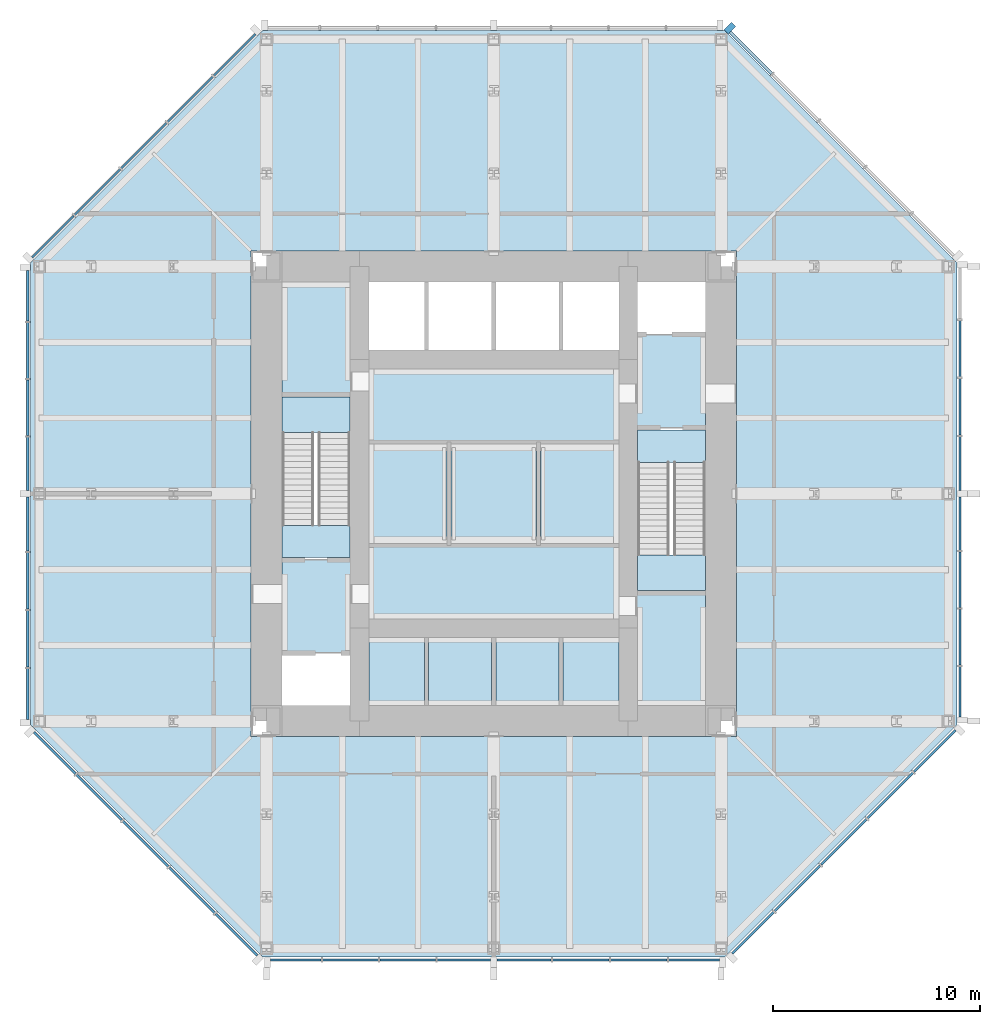
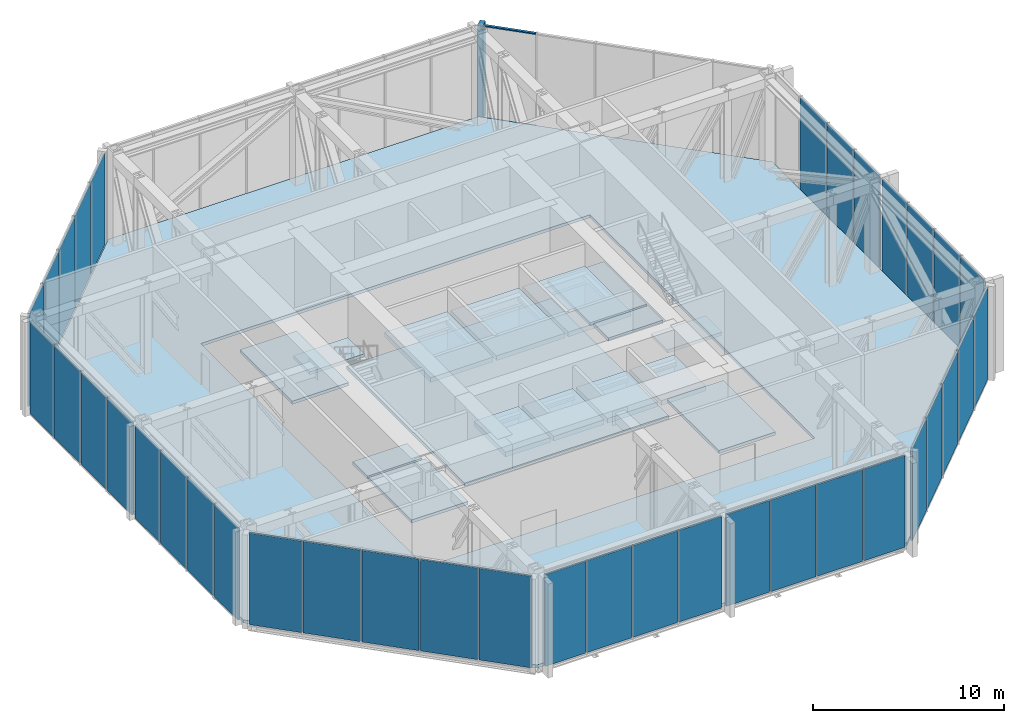
# One storey, part 8 of 11: 38 plates, 17 slabs, 3 members, 9 elements without a shape of their own.
"""IFC4 building model written with IfcOpenShell, lengths in metres."""

import ifcopenshell
import ifcopenshell.guid

model = None  # the IFC model being written
_history = None  # IfcOwnerHistory: only IFC2X3 demands one
_inside = {}  # id of a spatial element -> (the spatial element, [elements in it])
_under = {}  # id of a project, library or spatial element -> (it, [spatial elements below it])
_declared = {}  # id of a project -> (the project, [libraries it declares])
_typed = {}  # id of a type object -> (the type object, [elements of that type])
_made_of = {}  # id of a material, layer set ... -> (it, [elements and type objects made of it])


def new_model(schema):
    """Start an empty IFC model of exactly this schema.

    Asked for "IFC4X3", IfcOpenShell would pick the latest addendum, in which some entities
    have other attributes; the version numbers below select the first issue.
    IFC2X3 requires an IfcOwnerHistory on every rooted entity: one is made here for all.
    """
    global model, _history
    if schema == "IFC4X3":
        model = ifcopenshell.file(schema_version=(4, 3, 0, 0))
    else:
        model = ifcopenshell.file(schema=schema)
    _inside.clear()
    _under.clear()
    _declared.clear()
    _typed.clear()
    _made_of.clear()
    _history = None
    if model.schema == "IFC2X3":
        org = make("IfcOrganization", Name="unknown")
        user = make(
            "IfcPersonAndOrganization",
            ThePerson=make("IfcPerson", FamilyName="unknown"),
            TheOrganization=org,
        )
        app = make(
            "IfcApplication",
            ApplicationDeveloper=org,
            Version="unknown",
            ApplicationFullName="unknown",
            ApplicationIdentifier="unknown",
        )
        _history = make(
            "IfcOwnerHistory",
            OwningUser=user,
            OwningApplication=app,
            ChangeAction="ADDED",
            CreationDate=0,
        )
    return model


def make(cls, **values):
    """One entity of the class cls with the attributes given. An attribute that is None is left unset."""
    return model.create_entity(
        cls, **{name: value for name, value in values.items() if value is not None}
    )


def rooted(cls, **values):
    """An entity with a GlobalId (a new one), such as an element, a storey or a relation."""
    return make(cls, GlobalId=ifcopenshell.guid.new(), OwnerHistory=_history, **values)


def si_unit(unit_type, name, prefix=None):
    """IfcSIUnit, for example si_unit("LENGTHUNIT", "METRE", prefix="MILLI")."""
    return make("IfcSIUnit", UnitType=unit_type, Prefix=prefix, Name=name)


def assignment(units):
    """IfcUnitAssignment: the units of a project."""
    return None if units is None else make("IfcUnitAssignment", Units=units)


def point(xyz):
    """IfcCartesianPoint."""
    return None if xyz is None else make("IfcCartesianPoint", Coordinates=xyz)


def direction(xyz):
    """IfcDirection."""
    return None if xyz is None else make("IfcDirection", DirectionRatios=xyz)


def frame(location, z_axis=None, x_axis=None):
    """IfcAxis2Placement3D, a coordinate frame: its origin and axes. An axis left out is left unset."""
    return make(
        "IfcAxis2Placement3D",
        Location=point(location),
        Axis=direction(z_axis),
        RefDirection=direction(x_axis),
    )


def frame_2d(location, x_axis=None):
    """IfcAxis2Placement2D, a coordinate frame in the plane: its origin and x axis."""
    return make(
        "IfcAxis2Placement2D", Location=point(location), RefDirection=direction(x_axis)
    )


def origin():
    """The frame at (0, 0, 0) with its axes left unset."""
    return frame((0.0, 0.0, 0.0))


def origin_2d():
    """The frame at (0, 0) in the plane with its x axis left unset."""
    return frame_2d((0.0, 0.0))


def place(relative_to, where):
    """IfcLocalPlacement: puts the frame where relative to a parent placement (None: the world)."""
    return make(
        "IfcLocalPlacement", PlacementRelTo=relative_to, RelativePlacement=where
    )


def context(
    kind, dimensions, precision=None, world=None, true_north=None, identifier=None
):
    """IfcGeometricRepresentationContext, for example the 3D "Model" context."""
    return make(
        "IfcGeometricRepresentationContext",
        ContextIdentifier=identifier,
        ContextType=kind,
        CoordinateSpaceDimension=dimensions,
        Precision=precision,
        WorldCoordinateSystem=world,
        TrueNorth=true_north,
    )


def subcontext(parent, identifier, kind, view, scale=None):
    """IfcGeometricRepresentationSubContext, for example "Body" below "Model"."""
    return make(
        "IfcGeometricRepresentationSubContext",
        ContextIdentifier=identifier,
        ContextType=kind,
        ParentContext=parent,
        TargetScale=scale,
        TargetView=view,
    )


def project(units=None, contexts=None):
    """IfcProject with its units and contexts."""
    return rooted(
        "IfcProject",
        Name="project",
        RepresentationContexts=contexts,
        UnitsInContext=assignment(units),
    )


def spatial(cls, under=None, at=None, **own):
    """A site, building, storey or space (cls), placed at a placement, below another one or the project."""
    s = rooted(cls, ObjectPlacement=at, **own)
    if under is not None:
        _under.setdefault(under.id(), (under, []))[1].append(s)
    return s


def polyline(points):
    """IfcPolyline through the points."""
    return make("IfcPolyline", Points=[point(p) for p in points])


def profile(cls, at=None, kind="AREA", **sizes):
    """A parametric profile (cls). Its sizes go by their IFC names, for example OverallWidth=200.0."""
    return make(cls, ProfileType=kind, Position=at, **sizes)


def rectangle(**sizes):
    """IfcRectangleProfileDef."""
    return profile("IfcRectangleProfileDef", **sizes)


def outline(outer, holes=None, kind="AREA"):
    """IfcArbitraryClosedProfileDef: a profile drawn as a closed curve; with holes, ...WithVoids."""
    if holes is None:
        return make("IfcArbitraryClosedProfileDef", ProfileType=kind, OuterCurve=outer)
    return make(
        "IfcArbitraryProfileDefWithVoids",
        ProfileType=kind,
        OuterCurve=outer,
        InnerCurves=holes,
    )


def extrude(swept, where, along, depth):
    """IfcExtrudedAreaSolid: the profile swept, set in the frame where, extruded along a direction by depth."""
    return make(
        "IfcExtrudedAreaSolid",
        SweptArea=swept,
        Position=where,
        ExtrudedDirection=direction(along),
        Depth=depth,
    )


def shape(context_of_items, identifier, shape_type, items):
    """IfcShapeRepresentation: the items that make up one representation, for example the "Body"."""
    return make(
        "IfcShapeRepresentation",
        ContextOfItems=context_of_items,
        RepresentationIdentifier=identifier,
        RepresentationType=shape_type,
        Items=items,
    )


def material(Name=None, Category=None):
    """IfcMaterial."""
    return make("IfcMaterial", Name=Name, Category=Category)


def layer(
    of_material, thickness, ventilated=None, Name=None, Category=None, Priority=None
):
    """IfcMaterialLayer: one layer of a wall or slab, of a material (None: an air gap)."""
    return make(
        "IfcMaterialLayer",
        Material=of_material,
        LayerThickness=thickness,
        IsVentilated=ventilated,
        Name=Name,
        Category=Category,
        Priority=Priority,
    )


def layer_set(layers, Name=None):
    """IfcMaterialLayerSet."""
    return make("IfcMaterialLayerSet", MaterialLayers=layers, LayerSetName=Name)


def material_profile(
    of_material, cross_section, Name=None, Category=None, Priority=None
):
    """IfcMaterialProfile: a cross section and its material."""
    return make(
        "IfcMaterialProfile",
        Name=Name,
        Material=of_material,
        Profile=cross_section,
        Priority=Priority,
        Category=Category,
    )


def profile_set(profiles, Name=None, composite=None):
    """IfcMaterialProfileSet."""
    return make(
        "IfcMaterialProfileSet",
        Name=Name,
        MaterialProfiles=profiles,
        CompositeProfile=composite,
    )


def made_of(thing, what):
    """Note that an element or type object is made of a material, layer set ...; save() writes the relation."""
    if what is not None:
        _made_of.setdefault(what.id(), (what, []))[1].append(thing)
    return thing


def type_object(cls, material=None, **own):
    """A type object (cls), such as IfcWallType, which elements share."""
    return made_of(rooted(cls, **own), material)


def element(
    cls,
    number,
    at=None,
    inside=None,
    cuts=None,
    type_object=None,
    material=None,
    context=None,
    identifier="Body",
    shape_type=None,
    held_by="IfcProductDefinitionShape",
    body=None,
    shapes=None,
    **own,
):
    """One element of the class cls, such as IfcWall. Its Tag is "e" and its number.

    at: its placement. inside: the storey or other place that contains it. cuts: it is an
    opening in that element (IfcRelVoidsElement). A single representation is given by context,
    identifier, shape_type and body (its items); several are given by shapes. held_by: the class
    of the entity that holds the representations. save() writes the other relations.
    """
    e = rooted(cls, Tag="e%d" % number, ObjectPlacement=at, **own)
    if body is not None:
        shapes = [shape(context, identifier, shape_type, body)]
    if shapes is not None:
        e.Representation = make(held_by, Representations=shapes)
    if inside is not None:
        _inside.setdefault(inside.id(), (inside, []))[1].append(e)
    if cuts is not None:
        rooted(
            "IfcRelVoidsElement", RelatingBuildingElement=cuts, RelatedOpeningElement=e
        )
    if type_object is not None:
        _typed.setdefault(type_object.id(), (type_object, []))[1].append(e)
    return made_of(e, material)


def aggregate(whole, parts):
    """IfcRelAggregates: a whole, such as a stair, and the parts it consists of."""
    return rooted("IfcRelAggregates", RelatingObject=whole, RelatedObjects=parts)


def save(model, path):
    """Write the relations noted so far, then the file.

    IfcRelAggregates (storeys below a building ...), IfcRelContainedInSpatialStructure (elements
    in a storey), IfcRelDefinesByType, IfcRelAssociatesMaterial and IfcRelDeclares: one each for
    every whole, place, type object, material and project.
    """
    for whole, parts in _under.values():
        aggregate(whole, parts)
    for where, things in _inside.values():
        rooted(
            "IfcRelContainedInSpatialStructure",
            RelatedElements=things,
            RelatingStructure=where,
        )
    for kind, things in _typed.values():
        rooted("IfcRelDefinesByType", RelatedObjects=things, RelatingType=kind)
    for what, things in _made_of.values():
        rooted("IfcRelAssociatesMaterial", RelatedObjects=things, RelatingMaterial=what)
    for by, libraries in _declared.values():
        rooted("IfcRelDeclares", RelatingContext=by, RelatedDefinitions=libraries)
    model.write(path)


model = new_model("IFC4")

# Units and contexts
model_context = context("Model", 3, precision=1e-05, world=origin(), true_north=direction((0.0, 1.0)))
body_context = subcontext(model_context, "Body", "Model", "MODEL_VIEW")
ifc_project = project(units=[si_unit("LENGTHUNIT", "METRE"), si_unit("AREAUNIT", "SQUARE_METRE"), si_unit("VOLUMEUNIT", "CUBIC_METRE"), si_unit("PLANEANGLEUNIT", "RADIAN"), si_unit("MASSUNIT", "GRAM", prefix="KILO")], contexts=[model_context])

# Site, building, storey
site_placement = place(None, origin())
site = spatial("IfcSite", under=ifc_project, at=site_placement, CompositionType="ELEMENT")
building_placement = place(site_placement, origin())
building = spatial("IfcBuilding", under=site, at=building_placement, Name="Trevanion Tower", CompositionType="ELEMENT")
storey_placement = place(building_placement, frame((0.0, 0.0, 178.699951171875)))
storey = spatial("IfcBuildingStorey", under=building, at=storey_placement, Name="L42", CompositionType="ELEMENT", Elevation=178.699951171875)

# Curtain wall, members
ifc_material_1 = material(Name="Aluminium louvres", Category="aluminium")
curtain_wall_type = type_object("IfcCurtainWallType", Name="CWL curtain wall", PredefinedType="USERDEFINED", material=ifc_material_1)
curtain_wall_1_placement = place(storey_placement, origin())
curtain_wall_1 = element("IfcCurtainWall", 1, at=curtain_wall_1_placement, inside=storey, type_object=curtain_wall_type, Name="CWL L42 1", ObjectType="LOUVRE SCREEN", PredefinedType="USERDEFINED")
ifc_material_2 = material(Name="Aluminium extrusion, anodised bronze", Category="aluminium")
ifc_material_profile_1 = material_profile(ifc_material_2, rectangle(XDim=0.300048828125, YDim=0.5, at=origin_2d()), Name="CWL pier mullion")
ifc_profile_set_1 = profile_set([ifc_material_profile_1], Name="Aluminium extrusion, anodised bronze")
member_type_1 = type_object("IfcMemberType", Name="CWL pier mullion", PredefinedType="MULLION", material=ifc_profile_set_1)
member_1_placement = place(storey_placement, frame((11.42236328125, 22.5322265625, -0.18994140625), z_axis=(0.0, 0.0, 1.0), x_axis=(-0.707106781187, 0.707106781187, 0.0)))
member_1 = element("IfcMember", 2, at=member_1_placement, type_object=member_type_1, Name="CWL pier mullion 6", PredefinedType="MULLION", context=body_context, shape_type="SweptSolid", body=[
    extrude(rectangle(XDim=0.300048828125, YDim=0.5, at=origin_2d()), origin(), (0.0, 0.0, 1.0), 6.0),
])
ifc_material_3 = material(Name="Aluminium extrusion, anodised bronze", Category="aluminium")
ifc_material_profile_2 = material_profile(ifc_material_3, rectangle(XDim=0.14990234375, YDim=0.074951171875, at=origin_2d()), Name="CWL transom")
ifc_profile_set_2 = profile_set([ifc_material_profile_2], Name="Aluminium extrusion, anodised bronze")
member_type_2 = type_object("IfcMemberType", Name="CWL transom", PredefinedType="USERDEFINED", material=ifc_profile_set_2)
member_2_placement = place(storey_placement, frame((13.447509765625, 20.33056640625, -0.15234375), z_axis=(-0.707149778163, 0.707063781595, 0.0), x_axis=(-0.707063781595, -0.707149778163, 0.0)))
member_2 = element("IfcMember", 3, at=member_2_placement, type_object=member_type_2, Name="CWL transom 5.1", ObjectType="TRANSOM", PredefinedType="USERDEFINED", context=body_context, shape_type="SweptSolid", body=[
    extrude(rectangle(XDim=0.14990234375, YDim=0.074951171875, at=origin_2d()), origin(), (0.0, 0.0, 1.0), 2.8388671875),
])
member_3_placement = place(storey_placement, frame((13.447509765625, 20.33056640625, 5.7724609375), z_axis=(-0.707149778163, 0.707063781595, 0.0), x_axis=(-0.707063781595, -0.707149778163, 0.0)))
member_3 = element("IfcMember", 4, at=member_3_placement, type_object=member_type_2, Name="CWL transom 5.2", ObjectType="TRANSOM", PredefinedType="USERDEFINED", context=body_context, shape_type="SweptSolid", body=[
    extrude(rectangle(XDim=0.14990234375, YDim=0.074951171875, at=origin_2d()), origin(), (0.0, 0.0, 1.0), 2.8388671875),
])
aggregate(curtain_wall_1, [member_1, member_2, member_3])

# Curtain wall, plates
curtain_wall_2_placement = place(storey_placement, origin())
curtain_wall_2 = element("IfcCurtainWall", 5, at=curtain_wall_2_placement, inside=storey, type_object=curtain_wall_type, Name="CWL L42 0", ObjectType="LOUVRE SCREEN", PredefinedType="USERDEFINED")
ifc_material_4 = material(Name="Aluminium louvres", Category="aluminium")
ifc_layer_1 = layer(ifc_material_4, 0.10009765625)
ifc_layer_set_1 = layer_set([ifc_layer_1], Name="CWL louvre panel")
plate_type = type_object("IfcPlateType", Name="CWL louvre panel", PredefinedType="CURTAIN_PANEL", material=ifc_layer_set_1)
plate_1_placement = place(storey_placement, frame((22.550048828125, -9.579345703125, -0.114990234375), z_axis=(0.0, 0.0, 1.0), x_axis=(0.0, 1.0, 0.0)))
plate_1 = element("IfcPlate", 6, at=plate_1_placement, type_object=plate_type, Name="CWL panel 1.1", PredefinedType="CURTAIN_PANEL", context=body_context, shape_type="SweptSolid", body=[
    extrude(rectangle(XDim=2.43701171875, YDim=0.10009765625, at=origin_2d()), origin(), (0.0, 0.0, 1.0), 5.85009765625),
])
plate_2_placement = place(storey_placement, frame((22.550048828125, -6.93603515625, -0.114990234375), z_axis=(0.0, 0.0, 1.0), x_axis=(0.0, 1.0, 0.0)))
plate_2 = element("IfcPlate", 7, at=plate_2_placement, type_object=plate_type, Name="CWL panel 2.1", PredefinedType="CURTAIN_PANEL", context=body_context, shape_type="SweptSolid", body=[
    extrude(rectangle(XDim=2.699462890625, YDim=0.10009765625, at=origin_2d()), origin(), (0.0, 0.0, 1.0), 5.85009765625),
])
plate_3_placement = place(storey_placement, frame((22.550048828125, -4.16162109375, -0.114990234375), z_axis=(0.0, 0.0, 1.0), x_axis=(0.0, 1.0, 0.0)))
plate_3 = element("IfcPlate", 8, at=plate_3_placement, type_object=plate_type, Name="CWL panel 3.1", PredefinedType="CURTAIN_PANEL", context=body_context, shape_type="SweptSolid", body=[
    extrude(rectangle(XDim=2.699462890625, YDim=0.10009765625, at=origin_2d()), origin(), (0.0, 0.0, 1.0), 5.85009765625),
])
plate_4_placement = place(storey_placement, frame((22.550048828125, -1.443603515625, -0.114990234375), z_axis=(0.0, 0.0, 1.0), x_axis=(0.0, 1.0, 0.0)))
plate_4 = element("IfcPlate", 9, at=plate_4_placement, type_object=plate_type, Name="CWL panel 4.1", PredefinedType="CURTAIN_PANEL", context=body_context, shape_type="SweptSolid", body=[
    extrude(rectangle(XDim=2.5869140625, YDim=0.10009765625, at=origin_2d()), origin(), (0.0, 0.0, 1.0), 5.85009765625),
])
plate_5_placement = place(storey_placement, frame((22.550048828125, 1.459716796875, -0.114990234375), z_axis=(0.0, 0.0, 1.0), x_axis=(0.0, 1.0, 0.0)))
plate_5 = element("IfcPlate", 10, at=plate_5_placement, type_object=plate_type, Name="CWL panel 5.1", PredefinedType="CURTAIN_PANEL", context=body_context, shape_type="SweptSolid", body=[
    extrude(rectangle(XDim=2.619384765625, YDim=0.10009765625, at=origin_2d()), origin(), (0.0, 0.0, 1.0), 5.85009765625),
])
plate_6_placement = place(storey_placement, frame((22.550048828125, 4.21044921875, -0.114990234375), z_axis=(0.0, 0.0, 1.0), x_axis=(0.0, 1.0, 0.0)))
plate_6 = element("IfcPlate", 11, at=plate_6_placement, type_object=plate_type, Name="CWL panel 6.1", PredefinedType="CURTAIN_PANEL", context=body_context, shape_type="SweptSolid", body=[
    extrude(rectangle(XDim=2.73193359375, YDim=0.10009765625, at=origin_2d()), origin(), (0.0, 0.0, 1.0), 5.85009765625),
])
plate_7_placement = place(storey_placement, frame((22.550048828125, 7.017333984375, -0.114990234375), z_axis=(0.0, 0.0, 1.0), x_axis=(0.0, 1.0, 0.0)))
plate_7 = element("IfcPlate", 12, at=plate_7_placement, type_object=plate_type, Name="CWL panel 7.1", PredefinedType="CURTAIN_PANEL", context=body_context, shape_type="SweptSolid", body=[
    extrude(rectangle(XDim=2.73193359375, YDim=0.10009765625, at=origin_2d()), origin(), (0.0, 0.0, 1.0), 5.85009765625),
])
aggregate(curtain_wall_2, [plate_1, plate_2, plate_3, plate_4, plate_5, plate_6, plate_7])

curtain_wall_3_placement = place(storey_placement, origin())
curtain_wall_3 = element("IfcCurtainWall", 13, at=curtain_wall_3_placement, inside=storey, type_object=curtain_wall_type, Name="CWL L42 3", ObjectType="LOUVRE SCREEN", PredefinedType="USERDEFINED")
plate_8_placement = place(storey_placement, frame((-12.53564453125, 21.2421875, -0.114990234375), z_axis=(0.0, 0.0, 1.0), x_axis=(-0.707106781187, -0.707106781187, 0.0)))
plate_8 = element("IfcPlate", 14, at=plate_8_placement, type_object=plate_type, Name="CWL panel 1.1", PredefinedType="CURTAIN_PANEL", context=body_context, shape_type="SweptSolid", body=[
    extrude(rectangle(XDim=2.8388671875, YDim=0.10009765625, at=origin_2d()), origin(), (0.0, 0.0, 1.0), 5.85009765625),
])
plate_9_placement = place(storey_placement, frame((-14.688720703125, 19.089111328125, -0.114990234375), z_axis=(0.0, 0.0, 1.0), x_axis=(-0.707106781187, -0.707106781187, 0.0)))
plate_9 = element("IfcPlate", 15, at=plate_9_placement, type_object=plate_type, Name="CWL panel 2.1", PredefinedType="CURTAIN_PANEL", context=body_context, shape_type="SweptSolid", body=[
    extrude(rectangle(XDim=3.101318359375, YDim=0.10009765625, at=origin_2d()), origin(), (0.0, 0.0, 1.0), 5.85009765625),
])
plate_10_placement = place(storey_placement, frame((-16.934814453125, 16.843017578125, -0.114990234375), z_axis=(0.0, 0.0, 1.0), x_axis=(-0.707106781187, -0.707106781187, 0.0)))
plate_10 = element("IfcPlate", 16, at=plate_10_placement, type_object=plate_type, Name="CWL panel 3.1", PredefinedType="CURTAIN_PANEL", context=body_context, shape_type="SweptSolid", body=[
    extrude(rectangle(XDim=3.101318359375, YDim=0.10009765625, at=origin_2d()), origin(), (0.0, 0.0, 1.0), 5.85009765625),
])
plate_11_placement = place(storey_placement, frame((-19.180908203125, 14.596923828125, -0.114990234375), z_axis=(0.0, 0.0, 1.0), x_axis=(-0.707106781187, -0.707106781187, 0.0)))
plate_11 = element("IfcPlate", 17, at=plate_11_placement, type_object=plate_type, Name="CWL panel 4.1", PredefinedType="CURTAIN_PANEL", context=body_context, shape_type="SweptSolid", body=[
    extrude(rectangle(XDim=3.101318359375, YDim=0.10009765625, at=origin_2d()), origin(), (0.0, 0.0, 1.0), 5.85009765625),
])
plate_12_placement = place(storey_placement, frame((-21.334228515625, 12.443603515625, -0.114990234375), z_axis=(0.0, 0.0, 1.0), x_axis=(-0.707106781187, -0.707106781187, 0.0)))
plate_12 = element("IfcPlate", 18, at=plate_12_placement, type_object=plate_type, Name="CWL panel 5.1", PredefinedType="CURTAIN_PANEL", context=body_context, shape_type="SweptSolid", body=[
    extrude(rectangle(XDim=2.8388671875, YDim=0.10009765625, at=origin_2d()), origin(), (0.0, 0.0, 1.0), 5.85009765625),
])
aggregate(curtain_wall_3, [plate_8, plate_9, plate_10, plate_11, plate_12])

curtain_wall_4_placement = place(storey_placement, origin())
curtain_wall_4 = element("IfcCurtainWall", 19, at=curtain_wall_4_placement, inside=storey, type_object=curtain_wall_type, Name="CWL L42 4", ObjectType="LOUVRE SCREEN", PredefinedType="USERDEFINED")
plate_13_placement = place(storey_placement, frame((-22.550048828125, 9.579345703125, -0.114990234375), z_axis=(0.0, 0.0, 1.0), x_axis=(0.0, -1.0, 0.0)))
plate_13 = element("IfcPlate", 20, at=plate_13_placement, type_object=plate_type, Name="CWL panel 1.1", PredefinedType="CURTAIN_PANEL", context=body_context, shape_type="SweptSolid", body=[
    extrude(rectangle(XDim=2.43701171875, YDim=0.10009765625, at=origin_2d()), origin(), (0.0, 0.0, 1.0), 5.85009765625),
])
plate_14_placement = place(storey_placement, frame((-22.550048828125, 6.93603515625, -0.114990234375), z_axis=(0.0, 0.0, 1.0), x_axis=(0.0, -1.0, 0.0)))
plate_14 = element("IfcPlate", 21, at=plate_14_placement, type_object=plate_type, Name="CWL panel 2.1", PredefinedType="CURTAIN_PANEL", context=body_context, shape_type="SweptSolid", body=[
    extrude(rectangle(XDim=2.699462890625, YDim=0.10009765625, at=origin_2d()), origin(), (0.0, 0.0, 1.0), 5.85009765625),
])
plate_15_placement = place(storey_placement, frame((-22.550048828125, 4.16162109375, -0.114990234375), z_axis=(0.0, 0.0, 1.0), x_axis=(0.0, -1.0, 0.0)))
plate_15 = element("IfcPlate", 22, at=plate_15_placement, type_object=plate_type, Name="CWL panel 3.1", PredefinedType="CURTAIN_PANEL", context=body_context, shape_type="SweptSolid", body=[
    extrude(rectangle(XDim=2.699462890625, YDim=0.10009765625, at=origin_2d()), origin(), (0.0, 0.0, 1.0), 5.85009765625),
])
plate_16_placement = place(storey_placement, frame((-22.550048828125, 1.443603515625, -0.114990234375), z_axis=(0.0, 0.0, 1.0), x_axis=(0.0, -1.0, 0.0)))
plate_16 = element("IfcPlate", 23, at=plate_16_placement, type_object=plate_type, Name="CWL panel 4.1", PredefinedType="CURTAIN_PANEL", context=body_context, shape_type="SweptSolid", body=[
    extrude(rectangle(XDim=2.5869140625, YDim=0.10009765625, at=origin_2d()), origin(), (0.0, 0.0, 1.0), 5.85009765625),
])
plate_17_placement = place(storey_placement, frame((-22.550048828125, -1.459716796875, -0.114990234375), z_axis=(0.0, 0.0, 1.0), x_axis=(0.0, -1.0, 0.0)))
plate_17 = element("IfcPlate", 24, at=plate_17_placement, type_object=plate_type, Name="CWL panel 5.1", PredefinedType="CURTAIN_PANEL", context=body_context, shape_type="SweptSolid", body=[
    extrude(rectangle(XDim=2.619384765625, YDim=0.10009765625, at=origin_2d()), origin(), (0.0, 0.0, 1.0), 5.85009765625),
])
plate_18_placement = place(storey_placement, frame((-22.550048828125, -4.21044921875, -0.114990234375), z_axis=(0.0, 0.0, 1.0), x_axis=(0.0, -1.0, 0.0)))
plate_18 = element("IfcPlate", 25, at=plate_18_placement, type_object=plate_type, Name="CWL panel 6.1", PredefinedType="CURTAIN_PANEL", context=body_context, shape_type="SweptSolid", body=[
    extrude(rectangle(XDim=2.73193359375, YDim=0.10009765625, at=origin_2d()), origin(), (0.0, 0.0, 1.0), 5.85009765625),
])
plate_19_placement = place(storey_placement, frame((-22.550048828125, -7.017333984375, -0.114990234375), z_axis=(0.0, 0.0, 1.0), x_axis=(0.0, -1.0, 0.0)))
plate_19 = element("IfcPlate", 26, at=plate_19_placement, type_object=plate_type, Name="CWL panel 7.1", PredefinedType="CURTAIN_PANEL", context=body_context, shape_type="SweptSolid", body=[
    extrude(rectangle(XDim=2.73193359375, YDim=0.10009765625, at=origin_2d()), origin(), (0.0, 0.0, 1.0), 5.85009765625),
])
plate_20_placement = place(storey_placement, frame((-22.550048828125, -9.693115234375, -0.114990234375), z_axis=(0.0, 0.0, 1.0), x_axis=(0.0, -1.0, 0.0)))
plate_20 = element("IfcPlate", 27, at=plate_20_placement, type_object=plate_type, Name="CWL panel 8.1", PredefinedType="CURTAIN_PANEL", context=body_context, shape_type="SweptSolid", body=[
    extrude(rectangle(XDim=2.469482421875, YDim=0.10009765625, at=origin_2d()), origin(), (0.0, 0.0, 1.0), 5.85009765625),
])
aggregate(curtain_wall_4, [plate_13, plate_14, plate_15, plate_16, plate_17, plate_18, plate_19, plate_20])

curtain_wall_5_placement = place(storey_placement, origin())
curtain_wall_5 = element("IfcCurtainWall", 28, at=curtain_wall_5_placement, inside=storey, type_object=curtain_wall_type, Name="CWL L42 5", ObjectType="LOUVRE SCREEN", PredefinedType="USERDEFINED")
plate_21_placement = place(storey_placement, frame((-21.2421875, -12.53564453125, -0.114990234375), z_axis=(0.0, 0.0, 1.0), x_axis=(0.707106781187, -0.707106781187, 0.0)))
plate_21 = element("IfcPlate", 29, at=plate_21_placement, type_object=plate_type, Name="CWL panel 1.1", PredefinedType="CURTAIN_PANEL", context=body_context, shape_type="SweptSolid", body=[
    extrude(rectangle(XDim=2.8388671875, YDim=0.10009765625, at=origin_2d()), origin(), (0.0, 0.0, 1.0), 5.85009765625),
])
plate_22_placement = place(storey_placement, frame((-19.089111328125, -14.688720703125, -0.114990234375), z_axis=(0.0, 0.0, 1.0), x_axis=(0.707106781187, -0.707106781187, 0.0)))
plate_22 = element("IfcPlate", 30, at=plate_22_placement, type_object=plate_type, Name="CWL panel 2.1", PredefinedType="CURTAIN_PANEL", context=body_context, shape_type="SweptSolid", body=[
    extrude(rectangle(XDim=3.101318359375, YDim=0.10009765625, at=origin_2d()), origin(), (0.0, 0.0, 1.0), 5.85009765625),
])
plate_23_placement = place(storey_placement, frame((-16.843017578125, -16.934814453125, -0.114990234375), z_axis=(0.0, 0.0, 1.0), x_axis=(0.707106781187, -0.707106781187, 0.0)))
plate_23 = element("IfcPlate", 31, at=plate_23_placement, type_object=plate_type, Name="CWL panel 3.1", PredefinedType="CURTAIN_PANEL", context=body_context, shape_type="SweptSolid", body=[
    extrude(rectangle(XDim=3.101318359375, YDim=0.10009765625, at=origin_2d()), origin(), (0.0, 0.0, 1.0), 5.85009765625),
])
plate_24_placement = place(storey_placement, frame((-14.596923828125, -19.180908203125, -0.114990234375), z_axis=(0.0, 0.0, 1.0), x_axis=(0.707106781187, -0.707106781187, 0.0)))
plate_24 = element("IfcPlate", 32, at=plate_24_placement, type_object=plate_type, Name="CWL panel 4.1", PredefinedType="CURTAIN_PANEL", context=body_context, shape_type="SweptSolid", body=[
    extrude(rectangle(XDim=3.101318359375, YDim=0.10009765625, at=origin_2d()), origin(), (0.0, 0.0, 1.0), 5.85009765625),
])
plate_25_placement = place(storey_placement, frame((-12.443603515625, -21.334228515625, -0.114990234375), z_axis=(0.0, 0.0, 1.0), x_axis=(0.707106781187, -0.707106781187, 0.0)))
plate_25 = element("IfcPlate", 33, at=plate_25_placement, type_object=plate_type, Name="CWL panel 5.1", PredefinedType="CURTAIN_PANEL", context=body_context, shape_type="SweptSolid", body=[
    extrude(rectangle(XDim=2.8388671875, YDim=0.10009765625, at=origin_2d()), origin(), (0.0, 0.0, 1.0), 5.85009765625),
])
aggregate(curtain_wall_5, [plate_21, plate_22, plate_23, plate_24, plate_25])

curtain_wall_6_placement = place(storey_placement, origin())
curtain_wall_6 = element("IfcCurtainWall", 34, at=curtain_wall_6_placement, inside=storey, type_object=curtain_wall_type, Name="CWL L42 6", ObjectType="LOUVRE SCREEN", PredefinedType="USERDEFINED")
plate_26_placement = place(storey_placement, frame((-9.579345703125, -22.550048828125, -0.114990234375), z_axis=(0.0, 0.0, 1.0), x_axis=(1.0, 0.0, 0.0)))
plate_26 = element("IfcPlate", 35, at=plate_26_placement, type_object=plate_type, Name="CWL panel 1.1", PredefinedType="CURTAIN_PANEL", context=body_context, shape_type="SweptSolid", body=[
    extrude(rectangle(XDim=2.43701171875, YDim=0.10009765625, at=origin_2d()), origin(), (0.0, 0.0, 1.0), 5.85009765625),
])
plate_27_placement = place(storey_placement, frame((-6.93603515625, -22.550048828125, -0.114990234375), z_axis=(0.0, 0.0, 1.0), x_axis=(1.0, 0.0, 0.0)))
plate_27 = element("IfcPlate", 36, at=plate_27_placement, type_object=plate_type, Name="CWL panel 2.1", PredefinedType="CURTAIN_PANEL", context=body_context, shape_type="SweptSolid", body=[
    extrude(rectangle(XDim=2.699462890625, YDim=0.10009765625, at=origin_2d()), origin(), (0.0, 0.0, 1.0), 5.85009765625),
])
plate_28_placement = place(storey_placement, frame((-4.16162109375, -22.550048828125, -0.114990234375), z_axis=(0.0, 0.0, 1.0), x_axis=(1.0, 0.0, 0.0)))
plate_28 = element("IfcPlate", 37, at=plate_28_placement, type_object=plate_type, Name="CWL panel 3.1", PredefinedType="CURTAIN_PANEL", context=body_context, shape_type="SweptSolid", body=[
    extrude(rectangle(XDim=2.699462890625, YDim=0.10009765625, at=origin_2d()), origin(), (0.0, 0.0, 1.0), 5.85009765625),
])
plate_29_placement = place(storey_placement, frame((-1.443603515625, -22.550048828125, -0.114990234375), z_axis=(0.0, 0.0, 1.0), x_axis=(1.0, 0.0, 0.0)))
plate_29 = element("IfcPlate", 38, at=plate_29_placement, type_object=plate_type, Name="CWL panel 4.1", PredefinedType="CURTAIN_PANEL", context=body_context, shape_type="SweptSolid", body=[
    extrude(rectangle(XDim=2.5869140625, YDim=0.10009765625, at=origin_2d()), origin(), (0.0, 0.0, 1.0), 5.85009765625),
])
plate_30_placement = place(storey_placement, frame((1.459716796875, -22.550048828125, -0.114990234375), z_axis=(0.0, 0.0, 1.0), x_axis=(1.0, 0.0, 0.0)))
plate_30 = element("IfcPlate", 39, at=plate_30_placement, type_object=plate_type, Name="CWL panel 5.1", PredefinedType="CURTAIN_PANEL", context=body_context, shape_type="SweptSolid", body=[
    extrude(rectangle(XDim=2.619384765625, YDim=0.10009765625, at=origin_2d()), origin(), (0.0, 0.0, 1.0), 5.85009765625),
])
plate_31_placement = place(storey_placement, frame((4.21044921875, -22.550048828125, -0.114990234375), z_axis=(0.0, 0.0, 1.0), x_axis=(1.0, 0.0, 0.0)))
plate_31 = element("IfcPlate", 40, at=plate_31_placement, type_object=plate_type, Name="CWL panel 6.1", PredefinedType="CURTAIN_PANEL", context=body_context, shape_type="SweptSolid", body=[
    extrude(rectangle(XDim=2.73193359375, YDim=0.10009765625, at=origin_2d()), origin(), (0.0, 0.0, 1.0), 5.85009765625),
])
plate_32_placement = place(storey_placement, frame((7.017333984375, -22.550048828125, -0.114990234375), z_axis=(0.0, 0.0, 1.0), x_axis=(1.0, 0.0, 0.0)))
plate_32 = element("IfcPlate", 41, at=plate_32_placement, type_object=plate_type, Name="CWL panel 7.1", PredefinedType="CURTAIN_PANEL", context=body_context, shape_type="SweptSolid", body=[
    extrude(rectangle(XDim=2.73193359375, YDim=0.10009765625, at=origin_2d()), origin(), (0.0, 0.0, 1.0), 5.85009765625),
])
plate_33_placement = place(storey_placement, frame((9.693115234375, -22.550048828125, -0.114990234375), z_axis=(0.0, 0.0, 1.0), x_axis=(1.0, 0.0, 0.0)))
plate_33 = element("IfcPlate", 42, at=plate_33_placement, type_object=plate_type, Name="CWL panel 8.1", PredefinedType="CURTAIN_PANEL", context=body_context, shape_type="SweptSolid", body=[
    extrude(rectangle(XDim=2.469482421875, YDim=0.10009765625, at=origin_2d()), origin(), (0.0, 0.0, 1.0), 5.85009765625),
])
aggregate(curtain_wall_6, [plate_26, plate_27, plate_28, plate_29, plate_30, plate_31, plate_32, plate_33])

curtain_wall_7_placement = place(storey_placement, origin())
curtain_wall_7 = element("IfcCurtainWall", 43, at=curtain_wall_7_placement, inside=storey, type_object=curtain_wall_type, Name="CWL L42 7", ObjectType="LOUVRE SCREEN", PredefinedType="USERDEFINED")
plate_34_placement = place(storey_placement, frame((12.53564453125, -21.2421875, -0.114990234375), z_axis=(0.0, 0.0, 1.0), x_axis=(0.707106781187, 0.707106781187, 0.0)))
plate_34 = element("IfcPlate", 44, at=plate_34_placement, type_object=plate_type, Name="CWL panel 1.1", PredefinedType="CURTAIN_PANEL", context=body_context, shape_type="SweptSolid", body=[
    extrude(rectangle(XDim=2.8388671875, YDim=0.10009765625, at=origin_2d()), origin(), (0.0, 0.0, 1.0), 5.85009765625),
])
plate_35_placement = place(storey_placement, frame((14.688720703125, -19.089111328125, -0.114990234375), z_axis=(0.0, 0.0, 1.0), x_axis=(0.707106781187, 0.707106781187, 0.0)))
plate_35 = element("IfcPlate", 45, at=plate_35_placement, type_object=plate_type, Name="CWL panel 2.1", PredefinedType="CURTAIN_PANEL", context=body_context, shape_type="SweptSolid", body=[
    extrude(rectangle(XDim=3.101318359375, YDim=0.10009765625, at=origin_2d()), origin(), (0.0, 0.0, 1.0), 5.85009765625),
])
plate_36_placement = place(storey_placement, frame((16.934814453125, -16.843017578125, -0.114990234375), z_axis=(0.0, 0.0, 1.0), x_axis=(0.707106781187, 0.707106781187, 0.0)))
plate_36 = element("IfcPlate", 46, at=plate_36_placement, type_object=plate_type, Name="CWL panel 3.1", PredefinedType="CURTAIN_PANEL", context=body_context, shape_type="SweptSolid", body=[
    extrude(rectangle(XDim=3.101318359375, YDim=0.10009765625, at=origin_2d()), origin(), (0.0, 0.0, 1.0), 5.85009765625),
])
plate_37_placement = place(storey_placement, frame((19.180908203125, -14.596923828125, -0.114990234375), z_axis=(0.0, 0.0, 1.0), x_axis=(0.707106781187, 0.707106781187, 0.0)))
plate_37 = element("IfcPlate", 47, at=plate_37_placement, type_object=plate_type, Name="CWL panel 4.1", PredefinedType="CURTAIN_PANEL", context=body_context, shape_type="SweptSolid", body=[
    extrude(rectangle(XDim=3.101318359375, YDim=0.10009765625, at=origin_2d()), origin(), (0.0, 0.0, 1.0), 5.85009765625),
])
plate_38_placement = place(storey_placement, frame((21.334228515625, -12.443603515625, -0.114990234375), z_axis=(0.0, 0.0, 1.0), x_axis=(0.707106781187, 0.707106781187, 0.0)))
plate_38 = element("IfcPlate", 48, at=plate_38_placement, type_object=plate_type, Name="CWL panel 5.1", PredefinedType="CURTAIN_PANEL", context=body_context, shape_type="SweptSolid", body=[
    extrude(rectangle(XDim=2.8388671875, YDim=0.10009765625, at=origin_2d()), origin(), (0.0, 0.0, 1.0), 5.85009765625),
])
aggregate(curtain_wall_7, [plate_34, plate_35, plate_36, plate_37, plate_38])

# Slabs
ifc_material_5 = material(Name="Concrete 5,000 psi on composite metal deck", Category="concrete")
ifc_layer_2 = layer(ifc_material_5, 0.18994140625)
ifc_layer_set_2 = layer_set([ifc_layer_2], Name="SL1 composite floor 190")
slab_type_1 = type_object("IfcSlabType", Name="SL1 composite floor 190", PredefinedType="FLOOR", material=ifc_layer_set_2)
slab_1_placement = place(storey_placement, frame((0.0, 0.0, -0.18994140625)))
element("IfcSlab", 49, at=slab_1_placement, inside=storey, type_object=slab_type_1, Name="SL1 L42 floor", PredefinedType="FLOOR", context=body_context, shape_type="SweptSolid", body=[
    extrude(outline(polyline([(22.419921875, -11.174072265625), (22.419921875, 11.174072265625), (11.174072265625, 22.419921875), (-11.174072265625, 22.419921875), (-22.419921875, 11.174072265625), (-22.419921875, -11.174072265625), (-11.174072265625, -22.419921875), (11.174072265625, -22.419921875), (22.419921875, -11.174072265625)]), holes=[polyline([(11.75, -11.75), (11.75, 11.75), (-11.75, 11.75), (-11.75, -11.75), (11.75, -11.75)])]), origin(), (0.0, 0.0, 1.0), 0.18994140625),
])
ifc_material_6 = material(Name="Concrete 5,000 psi", Category="concrete")
ifc_layer_3 = layer(ifc_material_6, 0.199951171875)
ifc_layer_set_3 = layer_set([ifc_layer_3], Name="SL2 core floor 200")
slab_type_2 = type_object("IfcSlabType", Name="SL2 core floor 200", PredefinedType="FLOOR", material=ifc_layer_set_3)
slab_2_placement = place(storey_placement, frame((0.0, 0.0, -0.199951171875)))
element("IfcSlab", 50, at=slab_2_placement, inside=storey, type_object=slab_type_2, Name="SL2 L42 core floor 1", PredefinedType="FLOOR", context=body_context, shape_type="SweptSolid", body=[
    extrude(outline(polyline([(10.25, -4.804931640625), (10.25, -10.25), (6.830078125, -10.25), (6.830078125, -4.804931640625), (10.25, -4.804931640625)])), origin(), (0.0, 0.0, 1.0), 0.199951171875),
])
slab_3_placement = place(storey_placement, frame((0.0, 0.0, -0.199951171875)))
element("IfcSlab", 51, at=slab_3_placement, inside=storey, type_object=slab_type_2, Name="SL2 L42 core floor 2", PredefinedType="FLOOR", context=body_context, shape_type="SweptSolid", body=[
    extrude(outline(polyline([(-6.830078125, -3.205078125), (-6.830078125, -7.695068359375), (-10.25, -7.695068359375), (-10.25, -3.205078125), (-6.830078125, -3.205078125)])), origin(), (0.0, 0.0, 1.0), 0.199951171875),
])
slab_4_placement = place(storey_placement, frame((0.0, 0.0, -0.199951171875)))
element("IfcSlab", 52, at=slab_4_placement, inside=storey, type_object=slab_type_2, Name="SL2 L42 core floor 3", PredefinedType="FLOOR", context=body_context, shape_type="SweptSolid", body=[
    extrude(outline(polyline([(6.169921875, -6.169921875), (-6.169921875, -6.169921875), (-6.169921875, 6.169921875), (6.169921875, 6.169921875), (6.169921875, -6.169921875)])), origin(), (0.0, 0.0, 1.0), 0.199951171875),
])
slab_5_placement = place(storey_placement, frame((0.0, 0.0, -0.199951171875)))
element("IfcSlab", 53, at=slab_5_placement, inside=storey, type_object=slab_type_2, Name="SL2 L42 core floor 4", PredefinedType="FLOOR", context=body_context, shape_type="SweptSolid", body=[
    extrude(outline(polyline([(6.830078125, 3.205078125), (6.830078125, 7.695068359375), (10.25, 7.695068359375), (10.25, 3.205078125), (6.830078125, 3.205078125)])), origin(), (0.0, 0.0, 1.0), 0.199951171875),
])
slab_6_placement = place(storey_placement, frame((0.0, 0.0, -0.199951171875)))
element("IfcSlab", 54, at=slab_6_placement, inside=storey, type_object=slab_type_2, Name="SL2 L42 core floor 5", PredefinedType="FLOOR", context=body_context, shape_type="SweptSolid", body=[
    extrude(outline(polyline([(-6.830078125, 4.804931640625), (-10.25, 4.804931640625), (-10.25, 10.25), (-6.830078125, 10.25), (-6.830078125, 4.804931640625)])), origin(), (0.0, 0.0, 1.0), 0.199951171875),
])
ifc_material_7 = material(Name="Concrete 5,000 psi", Category="concrete")
ifc_layer_4 = layer(ifc_material_7, 0.300048828125)
ifc_layer_set_4 = layer_set([ifc_layer_4], Name="SL3 lift pit slab 300")
slab_type_3 = type_object("IfcSlabType", Name="SL3 lift pit slab 300", PredefinedType="FLOOR", material=ifc_layer_set_4)
slab_7_placement = place(storey_placement, frame((0.0, 0.0, 4.10009765625)))
element("IfcSlab", 55, at=slab_7_placement, inside=storey, type_object=slab_type_3, Name="SL3 lift pit slab E1", PredefinedType="FLOOR", context=body_context, shape_type="SweptSolid", body=[
    extrude(outline(polyline([(-6.050048828125, -10.25), (-3.35009765625, -10.25), (-3.35009765625, -6.949951171875), (-6.050048828125, -6.949951171875), (-6.050048828125, -10.25)])), origin(), (0.0, 0.0, 1.0), 0.300048828125),
])
slab_8_placement = place(storey_placement, frame((0.0, 0.0, 4.10009765625)))
element("IfcSlab", 56, at=slab_8_placement, inside=storey, type_object=slab_type_3, Name="SL3 lift pit slab E2", PredefinedType="FLOOR", context=body_context, shape_type="SweptSolid", body=[
    extrude(outline(polyline([(-3.14990234375, -10.25), (-0.10009765625, -10.25), (-0.10009765625, -6.949951171875), (-3.14990234375, -6.949951171875), (-3.14990234375, -10.25)])), origin(), (0.0, 0.0, 1.0), 0.300048828125),
])
slab_9_placement = place(storey_placement, frame((0.0, 0.0, 4.10009765625)))
element("IfcSlab", 57, at=slab_9_placement, inside=storey, type_object=slab_type_3, Name="SL3 lift pit slab E3", PredefinedType="FLOOR", context=body_context, shape_type="SweptSolid", body=[
    extrude(outline(polyline([(0.10009765625, -10.25), (3.14990234375, -10.25), (3.14990234375, -6.949951171875), (0.10009765625, -6.949951171875), (0.10009765625, -10.25)])), origin(), (0.0, 0.0, 1.0), 0.300048828125),
])
slab_10_placement = place(storey_placement, frame((0.0, 0.0, 4.10009765625)))
element("IfcSlab", 58, at=slab_10_placement, inside=storey, type_object=slab_type_3, Name="SL3 lift pit slab E4", PredefinedType="FLOOR", context=body_context, shape_type="SweptSolid", body=[
    extrude(outline(polyline([(3.35009765625, -10.25), (6.050048828125, -10.25), (6.050048828125, -6.949951171875), (3.35009765625, -6.949951171875), (3.35009765625, -10.25)])), origin(), (0.0, 0.0, 1.0), 0.300048828125),
])
slab_11_placement = place(storey_placement, frame((0.0, 0.0, 4.10009765625)))
element("IfcSlab", 59, at=slab_11_placement, inside=storey, type_object=slab_type_3, Name="SL3 lift pit slab F1", PredefinedType="FLOOR", context=body_context, shape_type="SweptSolid", body=[
    extrude(outline(polyline([(-6.050048828125, -2.39990234375), (-2.2666015625, -2.39990234375), (-2.2666015625, 2.39990234375), (-6.050048828125, 2.39990234375), (-6.050048828125, -2.39990234375)])), origin(), (0.0, 0.0, 1.0), 0.300048828125),
])
slab_12_placement = place(storey_placement, frame((0.0, 0.0, 4.10009765625)))
element("IfcSlab", 60, at=slab_12_placement, inside=storey, type_object=slab_type_3, Name="SL3 lift pit slab F2", PredefinedType="FLOOR", context=body_context, shape_type="SweptSolid", body=[
    extrude(outline(polyline([(-2.066650390625, -2.39990234375), (2.066650390625, -2.39990234375), (2.066650390625, 2.39990234375), (-2.066650390625, 2.39990234375), (-2.066650390625, -2.39990234375)])), origin(), (0.0, 0.0, 1.0), 0.300048828125),
])
slab_13_placement = place(storey_placement, frame((0.0, 0.0, 4.10009765625)))
element("IfcSlab", 61, at=slab_13_placement, inside=storey, type_object=slab_type_3, Name="SL3 lift pit slab F3", PredefinedType="FLOOR", context=body_context, shape_type="SweptSolid", body=[
    extrude(outline(polyline([(2.2666015625, -2.39990234375), (6.050048828125, -2.39990234375), (6.050048828125, 2.39990234375), (2.2666015625, 2.39990234375), (2.2666015625, -2.39990234375)])), origin(), (0.0, 0.0, 1.0), 0.300048828125),
])

# Stair, slabs
ifc_material_8 = material(Name="Concrete 5,000 psi on steel stringers", Category="concrete")
stair_type = type_object("IfcStairType", Name="ST stair", PredefinedType="HALF_TURN_STAIR", material=ifc_material_8)
stair_1_placement = place(storey_placement, origin())
stair_1 = element("IfcStair", 62, at=stair_1_placement, inside=storey, type_object=stair_type, Name="ST1 L42", PredefinedType="HALF_TURN_STAIR")
ifc_material_9 = material(Name="Concrete 5,000 psi in steel pan", Category="concrete")
ifc_layer_5 = layer(ifc_material_9, 0.199951171875)
ifc_layer_set_5 = layer_set([ifc_layer_5], Name="STL stair landing 200")
slab_type_4 = type_object("IfcSlabType", Name="STL stair landing 200", PredefinedType="LANDING", material=ifc_layer_set_5)
slab_14_placement = place(storey_placement, frame((0.0, 0.0, -0.199951171875)))
slab_14 = element("IfcSlab", 63, at=slab_14_placement, type_object=slab_type_4, Name="ST1 landing 1", PredefinedType="LANDING", context=body_context, shape_type="SweptSolid", body=[
    extrude(outline(polyline([(6.949951171875, 1.52490234375), (10.25, 1.52490234375), (10.25, 3.074951171875), (6.949951171875, 3.074951171875), (6.949951171875, 1.52490234375)])), origin(), (0.0, 0.0, 1.0), 0.199951171875),
])
slab_15_placement = place(storey_placement, frame((0.0, 0.0, 2.800048828125)))
slab_15 = element("IfcSlab", 64, at=slab_15_placement, type_object=slab_type_4, Name="ST1 landing 2", PredefinedType="LANDING", context=body_context, shape_type="SweptSolid", body=[
    extrude(outline(polyline([(6.949951171875, -4.675048828125), (10.25, -4.675048828125), (10.25, -2.955078125), (6.949951171875, -2.955078125), (6.949951171875, -4.675048828125)])), origin(), (0.0, 0.0, 1.0), 0.199951171875),
])
aggregate(stair_1, [slab_14, slab_15])

stair_2_placement = place(storey_placement, origin())
stair_2 = element("IfcStair", 65, at=stair_2_placement, inside=storey, type_object=stair_type, Name="ST2 L42", PredefinedType="HALF_TURN_STAIR")
slab_16_placement = place(storey_placement, frame((0.0, 0.0, -0.199951171875)))
slab_16 = element("IfcSlab", 66, at=slab_16_placement, type_object=slab_type_4, Name="ST2 landing 1", PredefinedType="LANDING", context=body_context, shape_type="SweptSolid", body=[
    extrude(outline(polyline([(-6.949951171875, -1.52490234375), (-10.25, -1.52490234375), (-10.25, -3.074951171875), (-6.949951171875, -3.074951171875), (-6.949951171875, -1.52490234375)])), origin(), (0.0, 0.0, 1.0), 0.199951171875),
])
slab_17_placement = place(storey_placement, frame((0.0, 0.0, 2.800048828125)))
slab_17 = element("IfcSlab", 67, at=slab_17_placement, type_object=slab_type_4, Name="ST2 landing 2", PredefinedType="LANDING", context=body_context, shape_type="SweptSolid", body=[
    extrude(outline(polyline([(-6.949951171875, 4.675048828125), (-10.25, 4.675048828125), (-10.25, 2.955078125), (-6.949951171875, 2.955078125), (-6.949951171875, 4.675048828125)])), origin(), (0.0, 0.0, 1.0), 0.199951171875),
])
aggregate(stair_2, [slab_16, slab_17])

save(model, "model.ifc")
